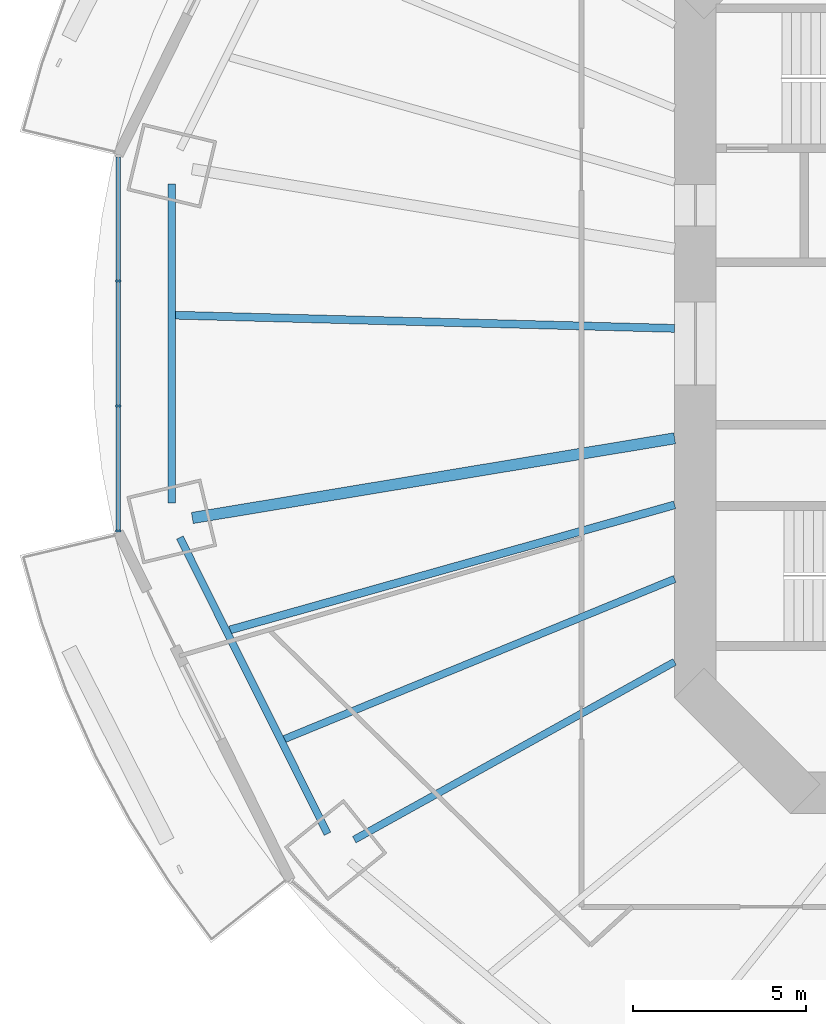
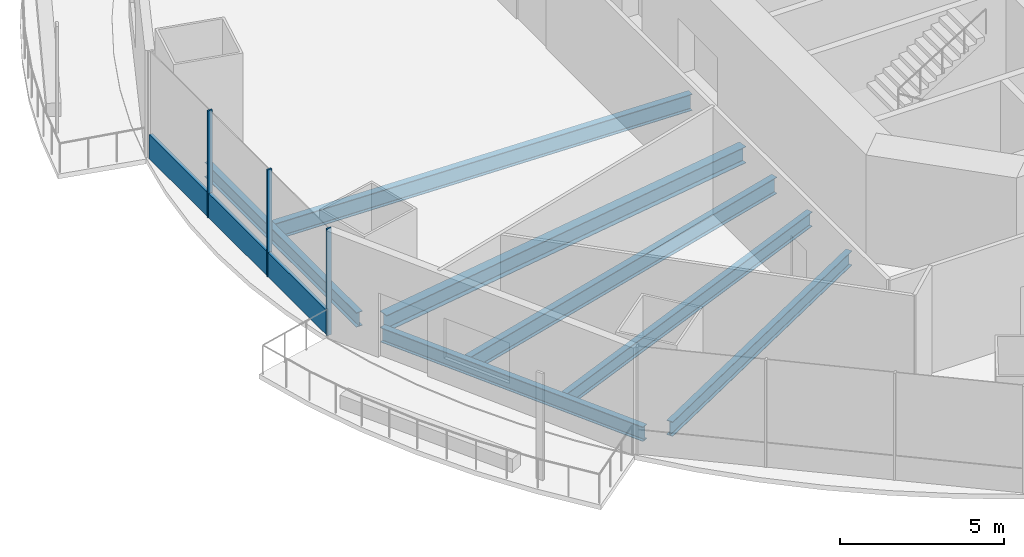
# One storey, part 3 of 20: 7 beams, 4 members, 1 element without a shape of its own.
"""IFC4 building model written with IfcOpenShell, lengths in metres."""

from ifc_helpers import new_model, si_unit, direction, frame, origin, origin_2d, place, context, subcontext, project, spatial, rectangle, i_section, extrude, material, material_profile, profile_set, type_object, element, aggregate, save


model = new_model("IFC4")

# Units and contexts
model_context = context("Model", 3, precision=1e-05, world=origin(), true_north=direction((0.0, 1.0)))
body_context = subcontext(model_context, "Body", "Model", "MODEL_VIEW")
ifc_project = project(units=[si_unit("LENGTHUNIT", "METRE"), si_unit("AREAUNIT", "SQUARE_METRE"), si_unit("VOLUMEUNIT", "CUBIC_METRE"), si_unit("PLANEANGLEUNIT", "RADIAN"), si_unit("MASSUNIT", "GRAM", prefix="KILO")], contexts=[model_context])

# Site, building, storey
site_placement = place(None, origin())
site = spatial("IfcSite", under=ifc_project, at=site_placement, CompositionType="ELEMENT")
building_placement = place(site_placement, origin())
building = spatial("IfcBuilding", under=site, at=building_placement, Name="Marenthal Gate Tower", CompositionType="ELEMENT")
storey_placement = place(building_placement, frame((0.0, 0.0, 136.75)))
storey = spatial("IfcBuildingStorey", under=building, at=storey_placement, Name="L29", CompositionType="ELEMENT", Elevation=136.75)

# Curtain wall, members
ifc_material_1 = material(Name="Aluminium and glass", Category="aluminium")
curtain_wall_type = type_object("IfcCurtainWallType", Name="Curtain wall typical low", PredefinedType="NOTDEFINED", material=ifc_material_1)
curtain_wall_placement = place(storey_placement, origin())
curtain_wall = element("IfcCurtainWall", 1, at=curtain_wall_placement, inside=storey, type_object=curtain_wall_type, Name="Curtain wall L29 bay 8", PredefinedType="NOTDEFINED")
ifc_material_2 = material(Name="Aluminium", Category="aluminium")
ifc_material_profile_1 = material_profile(ifc_material_2, rectangle(XDim=0.159912109375, YDim=0.06005859375, at=origin_2d()), Name="60x160 aluminium mullion")
ifc_profile_set_1 = profile_set([ifc_material_profile_1], Name="Aluminium")
member_type_1 = type_object("IfcMemberType", Name="Mullion 60x160 typical low", PredefinedType="MULLION", material=ifc_profile_set_1)
member_1_placement = place(storey_placement, frame((-32.701416015625, 1.80810546875, 0.0), z_axis=(0.0, 0.0, 1.0), x_axis=(1.0, 0.0, 0.0)))
member_1 = element("IfcMember", 2, at=member_1_placement, type_object=member_type_1, Name="Mullion L29 bay 8.2", PredefinedType="MULLION", context=body_context, shape_type="SweptSolid", body=[
    extrude(rectangle(XDim=0.159912109375, YDim=0.06005859375, at=origin_2d()), origin(), (0.0, 0.0, 1.0), 3.969970703125),
])
member_2_placement = place(storey_placement, frame((-32.701416015625, -1.80810546875, 0.0), z_axis=(0.0, 0.0, 1.0), x_axis=(1.0, 0.0, 0.0)))
member_2 = element("IfcMember", 3, at=member_2_placement, type_object=member_type_1, Name="Mullion L29 bay 8.3", PredefinedType="MULLION", context=body_context, shape_type="SweptSolid", body=[
    extrude(rectangle(XDim=0.159912109375, YDim=0.06005859375, at=origin_2d()), origin(), (0.0, 0.0, 1.0), 3.969970703125),
])
member_3_placement = place(storey_placement, frame((-32.701416015625, -5.424072265625, 0.0), z_axis=(0.0, 0.0, 1.0), x_axis=(1.0, 0.0, 0.0)))
member_3 = element("IfcMember", 4, at=member_3_placement, type_object=member_type_1, Name="Mullion L29 bay 8.4", PredefinedType="MULLION", context=body_context, shape_type="SweptSolid", body=[
    extrude(rectangle(XDim=0.159912109375, YDim=0.06005859375, at=origin_2d()), origin(), (0.0, 0.0, 1.0), 3.969970703125),
])
ifc_material_3 = material(Name="Aluminium", Category="aluminium")
ifc_material_profile_2 = material_profile(ifc_material_3, rectangle(XDim=0.1201171875, YDim=0.89990234375, at=origin_2d()), Name="120x900 aluminium transom")
ifc_profile_set_2 = profile_set([ifc_material_profile_2], Name="Aluminium")
member_type_2 = type_object("IfcMemberType", Name="Transom 120x900 typical low", PredefinedType="USERDEFINED", material=ifc_profile_set_2)
member_4_placement = place(storey_placement, frame((-32.701416015625, 5.39404296875, 0.449951171875), z_axis=(0.0, -1.0, 0.0), x_axis=(1.0, 0.0, 0.0)))
member_4 = element("IfcMember", 5, at=member_4_placement, type_object=member_type_2, Name="Transom L29 bay 8", ObjectType="TRANSOM", PredefinedType="USERDEFINED", context=body_context, shape_type="SweptSolid", body=[
    extrude(rectangle(XDim=0.1201171875, YDim=0.89990234375, at=origin_2d()), origin(), (0.0, 0.0, 1.0), 10.7880859375),
])
aggregate(curtain_wall, [member_1, member_2, member_3, member_4])

# Beams
ifc_material_4 = material(Name="Steel S355", Category="steel")
ifc_material_profile_3 = material_profile(ifc_material_4, i_section(OverallWidth=0.2119140625, OverallDepth=0.5439453125, WebThickness=0.01318359375, FlangeThickness=0.021240234375, FilletRadius=0.0126953125, at=origin_2d()), Name="W530X123")
ifc_profile_set_3 = profile_set([ifc_material_profile_3], Name="Steel S355")
beam_type_1 = type_object("IfcBeamType", Name="W530X123 beam", PredefinedType="BEAM", material=ifc_profile_set_3)
beam_1_placement = place(storey_placement, frame((-25.8701171875, -14.355224609375, -0.451904296875), z_axis=(0.874396146379, 0.485212715412, 0.0), x_axis=(-0.485212715412, 0.874396146379, 0.0)))
element("IfcBeam", 6, at=beam_1_placement, inside=storey, type_object=beam_type_1, Name="BM-L29-10", PredefinedType="BEAM", context=body_context, shape_type="SweptSolid", body=[
    extrude(i_section(OverallWidth=0.2119140625, OverallDepth=0.5439453125, WebThickness=0.01318359375, FlangeThickness=0.021240234375, FilletRadius=0.0126953125, at=origin_2d()), origin(), (0.0, 0.0, 1.0), 10.6015625),
])
beam_2_placement = place(storey_placement, frame((-27.8916015625, -11.444580078125, -0.451904296875), z_axis=(0.925143041133, 0.379618694803, 0.0), x_axis=(-0.379618694803, 0.925143041133, 0.0)))
element("IfcBeam", 7, at=beam_2_placement, inside=storey, type_object=beam_type_1, Name="BM-L29-30", PredefinedType="BEAM", context=body_context, shape_type="SweptSolid", body=[
    extrude(i_section(OverallWidth=0.2119140625, OverallDepth=0.5439453125, WebThickness=0.01318359375, FlangeThickness=0.021240234375, FilletRadius=0.0126953125, at=origin_2d()), origin(), (0.0, 0.0, 1.0), 12.205078125),
])
beam_3_placement = place(storey_placement, frame((-31.151611328125, 4.61767578125, -0.451904296875), z_axis=(0.0, -1.0, 0.0), x_axis=(1.0, 0.0, 0.0)))
element("IfcBeam", 8, at=beam_3_placement, inside=storey, type_object=beam_type_1, Name="BM-L29-48", PredefinedType="BEAM", context=body_context, shape_type="SweptSolid", body=[
    extrude(i_section(OverallWidth=0.2119140625, OverallDepth=0.5439453125, WebThickness=0.01318359375, FlangeThickness=0.021240234375, FilletRadius=0.0126953125, at=origin_2d()), origin(), (0.0, 0.0, 1.0), 9.2353515625),
])
beam_4_placement = place(storey_placement, frame((-30.916748046875, -5.616943359375, -0.451904296875), z_axis=(0.446356728124, -0.89485511188, 0.0), x_axis=(0.89485511188, 0.446356728124, 0.0)))
element("IfcBeam", 9, at=beam_4_placement, inside=storey, type_object=beam_type_1, Name="BM-L29-49", PredefinedType="BEAM", context=body_context, shape_type="SweptSolid", body=[
    extrude(i_section(OverallWidth=0.2119140625, OverallDepth=0.5439453125, WebThickness=0.01318359375, FlangeThickness=0.021240234375, FilletRadius=0.0126953125, at=origin_2d()), origin(), (0.0, 0.0, 1.0), 9.57568359375),
])
ifc_material_5 = material(Name="Steel S355", Category="steel")
ifc_material_profile_4 = material_profile(ifc_material_5, i_section(OverallWidth=0.22900390625, OverallDepth=0.612060546875, WebThickness=0.011962890625, FlangeThickness=0.01953125, FilletRadius=0.0126953125, at=origin_2d()), Name="W610X125")
ifc_profile_set_4 = profile_set([ifc_material_profile_4], Name="Steel S355")
beam_type_2 = type_object("IfcBeamType", Name="W610X125 beam", PredefinedType="BEAM", material=ifc_profile_set_4)
beam_5_placement = place(storey_placement, frame((-31.045654296875, 0.820556640625, -0.486083984375), z_axis=(0.999650837546, -0.026423531071, 0.0), x_axis=(0.026423531071, 0.999650837546, 0.0)))
element("IfcBeam", 10, at=beam_5_placement, inside=storey, type_object=beam_type_2, Name="BM-L29-28", PredefinedType="BEAM", context=body_context, shape_type="SweptSolid", body=[
    extrude(i_section(OverallWidth=0.22900390625, OverallDepth=0.612060546875, WebThickness=0.011962890625, FlangeThickness=0.01953125, FilletRadius=0.0126953125, at=origin_2d()), origin(), (0.0, 0.0, 1.0), 14.45068359375),
])
beam_6_placement = place(storey_placement, frame((-29.466796875, -8.2861328125, -0.486083984375), z_axis=(0.962662543646, 0.270704316664, 0.0), x_axis=(-0.270704316664, 0.962662543646, 0.0)))
element("IfcBeam", 11, at=beam_6_placement, inside=storey, type_object=beam_type_2, Name="BM-L29-29", PredefinedType="BEAM", context=body_context, shape_type="SweptSolid", body=[
    extrude(i_section(OverallWidth=0.22900390625, OverallDepth=0.612060546875, WebThickness=0.011962890625, FlangeThickness=0.01953125, FilletRadius=0.0126953125, at=origin_2d()), origin(), (0.0, 0.0, 1.0), 13.36572265625),
])
ifc_material_6 = material(Name="Steel S355", Category="steel")
ifc_material_profile_5 = material_profile(ifc_material_6, i_section(OverallWidth=0.324951171875, OverallDepth=0.612060546875, WebThickness=0.0126953125, FlangeThickness=0.01904296875, FilletRadius=0.0126953125, at=origin_2d()), Name="W610X155")
ifc_profile_set_5 = profile_set([ifc_material_profile_5], Name="Steel S355")
beam_type_3 = type_object("IfcBeamType", Name="W610X155 beam", PredefinedType="BEAM", material=ifc_profile_set_5)
beam_7_placement = place(storey_placement, frame((-30.556884765625, -5.047607421875, -0.486083984375), z_axis=(0.986630319442, 0.162974270234, 0.0), x_axis=(-0.162974270234, 0.986630319442, 0.0)))
element("IfcBeam", 12, at=beam_7_placement, inside=storey, type_object=beam_type_3, Name="BM-L29-09", PredefinedType="BEAM", context=body_context, shape_type="SweptSolid", body=[
    extrude(i_section(OverallWidth=0.324951171875, OverallDepth=0.612060546875, WebThickness=0.0126953125, FlangeThickness=0.01904296875, FilletRadius=0.0126953125, at=origin_2d()), origin(), (0.0, 0.0, 1.0), 14.14599609375),
])

save(model, "model.ifc")
